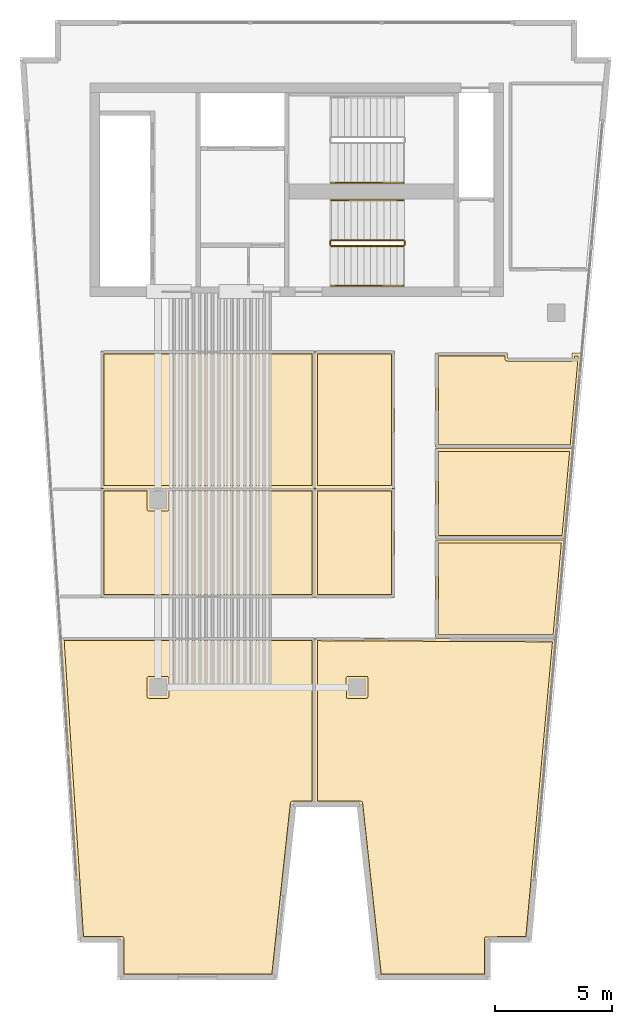
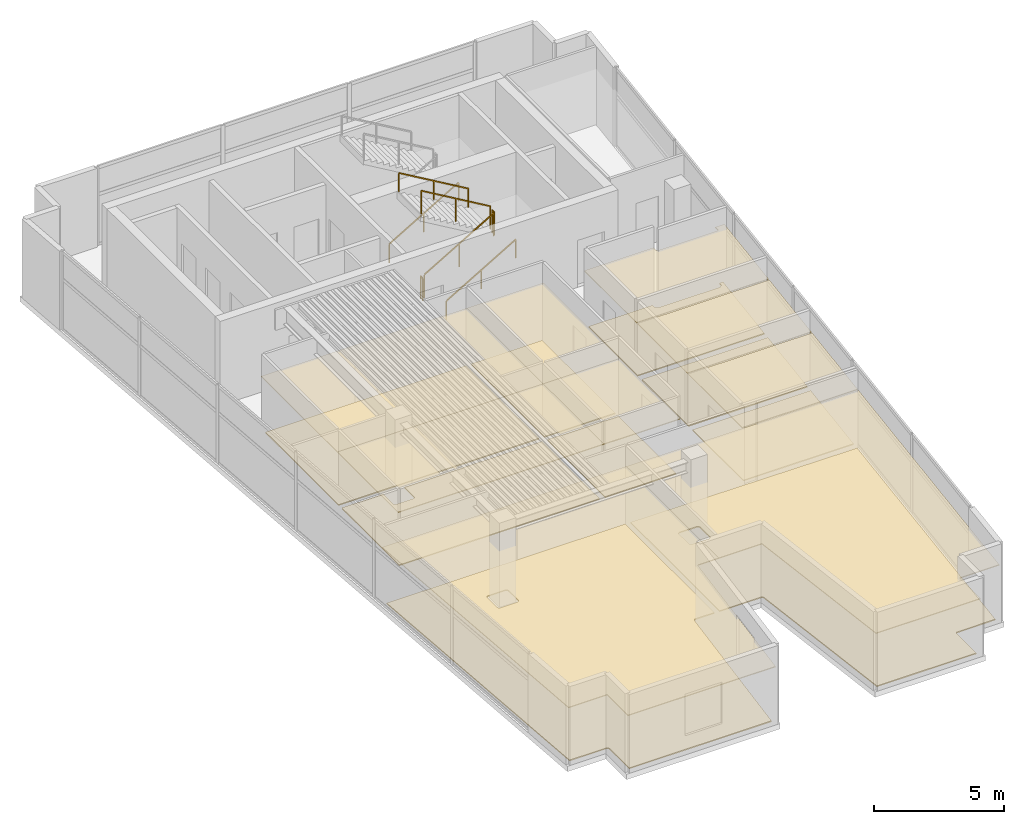
# One storey, part 6 of 7: 18 coverings, 7 railings.
"""IFC4 building model written with IfcOpenShell, lengths in metres."""

from ifc_helpers import new_model, si_unit, direction, frame, origin, origin_2d, place, context, subcontext, project, spatial, polyline, rectangle, outline, extrude, material, layer, layer_set, type_object, element, save


model = new_model("IFC4")

# Units and contexts
model_context = context("Model", 3, precision=1e-05, world=origin(), true_north=direction((0.0, 1.0)))
body_context = subcontext(model_context, "Body", "Model", "MODEL_VIEW")
ifc_project = project(units=[si_unit("LENGTHUNIT", "METRE"), si_unit("AREAUNIT", "SQUARE_METRE"), si_unit("VOLUMEUNIT", "CUBIC_METRE"), si_unit("PLANEANGLEUNIT", "RADIAN"), si_unit("MASSUNIT", "GRAM", prefix="KILO")], contexts=[model_context])

# Site, building, storey
site_placement = place(None, origin())
site = spatial("IfcSite", under=ifc_project, at=site_placement, CompositionType="ELEMENT")
building_placement = place(site_placement, origin())
building = spatial("IfcBuilding", under=site, at=building_placement, Name="Caeloran Harvest Quay", CompositionType="ELEMENT")
storey_placement = place(building_placement, frame((0.0, 0.0, 312.0)))
storey = spatial("IfcBuildingStorey", under=building, at=storey_placement, Name="L75", CompositionType="ELEMENT", Elevation=312.0)

# Coverings
ifc_material_1 = material(Name="Perforated Mineral-Fibre Acoustic Ceiling Tile", Category="ceiling")
ifc_layer_1 = layer(ifc_material_1, 0.0400390625, Name="Perforated Mineral-Fibre Acoustic Ceiling Tile")
ifc_layer_set_1 = layer_set([ifc_layer_1], Name="Perforated Mineral-Fibre Acoustic Ceiling Tile")
covering_type_1 = type_object("IfcCoveringType", Name="COV-CEILING-ACOUSTIC", PredefinedType="CEILING", material=ifc_layer_set_1)
covering_1_placement = place(storey_placement, frame((0.0, 0.0, 2.60009765625)))
element("IfcCovering", 1, at=covering_1_placement, inside=storey, type_object=covering_type_1, Name="L75 Male Washroom WC Acoustic Ceiling", PredefinedType="CEILING", context=body_context, shape_type="SweptSolid", body=[
    extrude(outline(polyline([(23.429931640625, 29.280029296875), (23.43017578125, 29.048095703125), (23.450927734375, 29.030029296875), (26.152099609375, 29.030029296875), (26.169921875, 29.048095703125), (26.169921875, 29.280029296875), (26.576904296875, 29.280029296875), (26.214599609375, 25.260009765625), (20.360107421875, 25.260009765625), (20.360107421875, 29.280029296875), (23.429931640625, 29.280029296875)])), origin(), (0.0, 0.0, 1.0), 0.039794921875),
])
covering_2_placement = place(storey_placement, frame((0.0, 0.0, 2.60009765625)))
element("IfcCovering", 2, at=covering_2_placement, inside=storey, type_object=covering_type_1, Name="L75 Female Washroom WC Acoustic Ceiling", PredefinedType="CEILING", context=body_context, shape_type="SweptSolid", body=[
    extrude(outline(polyline([(26.208251953125, 25.18994140625), (25.86279296875, 21.360107421875), (20.360107421875, 21.360107421875), (20.360107421875, 25.18994140625), (26.208251953125, 25.18994140625)])), origin(), (0.0, 0.0, 1.0), 0.039794921875),
])
covering_3_placement = place(storey_placement, frame((0.0, 0.0, 2.60009765625)))
element("IfcCovering", 3, at=covering_3_placement, inside=storey, type_object=covering_type_1, Name="L75 Accessible Unisex Washroom WC Acoustic Ceiling", PredefinedType="CEILING", context=body_context, shape_type="SweptSolid", body=[
    extrude(outline(polyline([(25.8564453125, 21.2900390625), (25.482177734375, 17.139892578125), (20.360107421875, 17.139892578125), (20.360107421875, 21.2900390625), (25.8564453125, 21.2900390625)])), origin(), (0.0, 0.0, 1.0), 0.039794921875),
])
covering_4_placement = place(storey_placement, frame((0.0, 0.0, 2.60009765625)))
element("IfcCovering", 4, at=covering_4_placement, inside=storey, type_object=covering_type_1, Name="Pinnacle Botanical Observatory Studio Acoustic Ceiling", PredefinedType="CEILING", context=body_context, shape_type="SweptSolid", body=[
    extrude(outline(polyline([(14.266845703125, 10.02001953125), (13.466796875, 2.639892578125), (6.91748046875, 2.639892578125), (6.91748046875, 4.239990234375), (5.2041015625, 4.239990234375), (4.36376953125, 17.110107421875), (15.199951171875, 17.110107421875), (15.199951171875, 10.02001953125), (14.266845703125, 10.02001953125)])), origin(), (0.0, 0.0, 1.0), 0.039794921875),
])
covering_5_placement = place(storey_placement, frame((0.0, 0.0, 2.60009765625)))
element("IfcCovering", 5, at=covering_5_placement, inside=storey, type_object=covering_type_1, Name="Diplomatic Conference Hall Acoustic Ceiling", PredefinedType="CEILING", context=body_context, shape_type="SweptSolid", body=[
    extrude(outline(polyline([(22.5625, 4.239990234375), (22.5625, 2.639892578125), (17.925537109375, 2.639892578125), (17.12548828125, 10.02001953125), (15.199951171875, 10.02001953125), (15.199951171875, 17.110107421875), (25.47509765625, 17.059814453125), (24.31884765625, 4.239990234375), (22.5625, 4.239990234375)])), origin(), (0.0, 0.0, 1.0), 0.039794921875),
])
covering_6_placement = place(storey_placement, frame((0.0, 0.0, 2.60009765625)))
element("IfcCovering", 6, at=covering_6_placement, inside=storey, type_object=covering_type_1, Name="Private Family Meeting Room Acoustic Ceiling", PredefinedType="CEILING", context=body_context, shape_type="SweptSolid", body=[
    extrude(outline(polyline([(6.070068359375, 23.5), (15.199951171875, 23.5), (15.199951171875, 18.840087890625), (6.070068359375, 18.840087890625), (6.070068359375, 23.5)])), origin(), (0.0, 0.0, 1.0), 0.039794921875),
])
covering_7_placement = place(storey_placement, frame((0.0, 0.0, 2.60009765625)))
element("IfcCovering", 7, at=covering_7_placement, inside=storey, type_object=covering_type_1, Name="Pinnacle Tasting Salon Lounge Acoustic Ceiling", PredefinedType="CEILING", context=body_context, shape_type="SweptSolid", body=[
    extrude(outline(polyline([(18.590087890625, 23.5), (18.590087890625, 18.840087890625), (15.199951171875, 18.840087890625), (15.199951171875, 23.5), (18.590087890625, 23.5)])), origin(), (0.0, 0.0, 1.0), 0.039794921875),
])
covering_8_placement = place(storey_placement, frame((0.0, 0.0, 2.60009765625)))
element("IfcCovering", 8, at=covering_8_placement, inside=storey, type_object=covering_type_1, Name="Artisanal Tea Kitchen Acoustic Ceiling", PredefinedType="CEILING", context=body_context, shape_type="SweptSolid", body=[
    extrude(outline(polyline([(6.070068359375, 23.5), (6.070068359375, 29.360107421875), (15.199951171875, 29.360107421875), (15.199951171875, 23.5), (6.070068359375, 23.5)])), origin(), (0.0, 0.0, 1.0), 0.039794921875),
])
covering_9_placement = place(storey_placement, frame((0.0, 0.0, 2.60009765625)))
element("IfcCovering", 9, at=covering_9_placement, inside=storey, type_object=covering_type_1, Name="Curator Archive Laboratory Acoustic Ceiling", PredefinedType="CEILING", context=body_context, shape_type="SweptSolid", body=[
    extrude(outline(polyline([(15.199951171875, 29.360107421875), (18.590087890625, 29.360107421875), (18.590087890625, 23.5), (15.199951171875, 23.5), (15.199951171875, 29.360107421875)])), origin(), (0.0, 0.0, 1.0), 0.039794921875),
])
ifc_material_2 = material(Name="Calcium-Sulphate Raised Access Floor and Terrazzo Finish", Category="flooring")
ifc_layer_2 = layer(ifc_material_2, 0.050048828125, Name="Calcium-Sulphate Raised Access Floor and Terrazzo Finish")
ifc_layer_set_2 = layer_set([ifc_layer_2], Name="Calcium-Sulphate Raised Access Floor and Terrazzo Finish")
covering_type_2 = type_object("IfcCoveringType", Name="COV-FLOOR-RAISED", PredefinedType="FLOORING", material=ifc_layer_set_2)
covering_10_placement = place(storey_placement, origin())
element("IfcCovering", 10, at=covering_10_placement, inside=storey, type_object=covering_type_2, Name="L75 Male Washroom WC Raised Finish Flooring", PredefinedType="FLOORING", context=body_context, shape_type="SweptSolid", body=[
    extrude(outline(polyline([(23.31005859375, 29.159912109375), (23.32861328125, 28.980712890625), (23.449951171875, 28.909912109375), (26.159912109375, 28.910400390625), (26.275146484375, 28.987548828125), (26.2900390625, 29.159912109375), (26.44580078125, 29.159912109375), (26.104736328125, 25.3798828125), (20.47998046875, 25.3798828125), (20.47998046875, 29.159912109375), (23.31005859375, 29.159912109375)])), origin(), (0.0, 0.0, 1.0), 0.050048828125),
])
covering_11_placement = place(storey_placement, origin())
element("IfcCovering", 11, at=covering_11_placement, inside=storey, type_object=covering_type_2, Name="L75 Female Washroom WC Raised Finish Flooring", PredefinedType="FLOORING", context=body_context, shape_type="SweptSolid", body=[
    extrude(outline(polyline([(26.076904296875, 25.070068359375), (25.753173828125, 21.47998046875), (20.47998046875, 21.47998046875), (20.47998046875, 25.070068359375), (26.076904296875, 25.070068359375)])), origin(), (0.0, 0.0, 1.0), 0.050048828125),
])
covering_12_placement = place(storey_placement, origin())
element("IfcCovering", 12, at=covering_12_placement, inside=storey, type_object=covering_type_2, Name="L75 Accessible Unisex Washroom WC Raised Finish Flooring", PredefinedType="FLOORING", context=body_context, shape_type="SweptSolid", body=[
    extrude(outline(polyline([(25.72509765625, 21.169921875), (25.37255859375, 17.260009765625), (20.47998046875, 17.260009765625), (20.47998046875, 21.169921875), (25.72509765625, 21.169921875)])), origin(), (0.0, 0.0, 1.0), 0.050048828125),
])
covering_13_placement = place(storey_placement, origin())
element("IfcCovering", 13, at=covering_13_placement, inside=storey, type_object=covering_type_2, Name="Pinnacle Botanical Observatory Studio Raised Finish Flooring", PredefinedType="FLOORING", context=body_context, shape_type="SweptSolid", body=[
    extrude(outline(polyline([(14.23095703125, 10.139892578125), (14.1748046875, 10.116943359375), (14.1513671875, 10.068603515625), (13.359130859375, 2.760009765625), (7.03759765625, 2.760009765625), (7.03759765625, 4.280029296875), (7.01416015625, 4.336669921875), (6.95751953125, 4.360107421875), (5.316650390625, 4.360107421875), (4.49169921875, 16.989990234375), (15.080078125, 16.989990234375), (15.080078125, 10.139892578125), (14.23095703125, 10.139892578125)]), holes=[polyline([(8.030029296875, 14.610107421875), (8.053466796875, 14.553466796875), (8.102294921875, 14.530517578125), (8.889892578125, 14.530029296875), (8.946533203125, 14.553466796875), (8.969970703125, 14.610107421875), (8.969970703125, 15.389892578125), (8.946533203125, 15.446533203125), (8.889892578125, 15.469970703125), (8.110107421875, 15.469970703125), (8.053466796875, 15.446533203125), (8.030029296875, 15.389892578125), (8.030029296875, 14.610107421875)])]), origin(), (0.0, 0.0, 1.0), 0.050048828125),
])
covering_14_placement = place(storey_placement, origin())
element("IfcCovering", 14, at=covering_14_placement, inside=storey, type_object=covering_type_2, Name="Diplomatic Conference Hall Raised Finish Flooring", PredefinedType="FLOORING", context=body_context, shape_type="SweptSolid", body=[
    extrude(outline(polyline([(24.209228515625, 4.360107421875), (22.4716796875, 4.341796875), (22.4423828125, 4.280029296875), (22.4423828125, 2.760009765625), (18.033203125, 2.760009765625), (17.235107421875, 10.09130859375), (17.16162109375, 10.139892578125), (15.320068359375, 10.139892578125), (15.320068359375, 16.989501953125), (25.34375, 16.9404296875), (24.209228515625, 4.360107421875)]), holes=[polyline([(16.530029296875, 15.389892578125), (16.548095703125, 14.55908203125), (16.602294921875, 14.530517578125), (17.389892578125, 14.530029296875), (17.446533203125, 14.553466796875), (17.469970703125, 14.610107421875), (17.469970703125, 15.389892578125), (17.446533203125, 15.446533203125), (17.389892578125, 15.469970703125), (16.610107421875, 15.469970703125), (16.553466796875, 15.446533203125), (16.530029296875, 15.389892578125)])]), origin(), (0.0, 0.0, 1.0), 0.050048828125),
])
covering_15_placement = place(storey_placement, origin())
element("IfcCovering", 15, at=covering_15_placement, inside=storey, type_object=covering_type_2, Name="Private Family Meeting Room Raised Finish Flooring", PredefinedType="FLOORING", context=body_context, shape_type="SweptSolid", body=[
    extrude(outline(polyline([(6.18994140625, 18.9599609375), (6.18994140625, 23.3798828125), (8.030029296875, 23.3798828125), (8.030517578125, 22.602294921875), (8.05908203125, 22.548095703125), (8.110107421875, 22.530029296875), (8.889892578125, 22.530029296875), (8.946533203125, 22.553466796875), (8.969970703125, 22.610107421875), (8.969970703125, 23.3798828125), (15.080078125, 23.3798828125), (15.080078125, 18.9599609375), (6.18994140625, 18.9599609375)])), origin(), (0.0, 0.0, 1.0), 0.050048828125),
])
covering_16_placement = place(storey_placement, origin())
element("IfcCovering", 16, at=covering_16_placement, inside=storey, type_object=covering_type_2, Name="Pinnacle Tasting Salon Lounge Raised Finish Flooring", PredefinedType="FLOORING", context=body_context, shape_type="SweptSolid", body=[
    extrude(outline(polyline([(18.469970703125, 23.3798828125), (18.469970703125, 18.9599609375), (15.320068359375, 18.9599609375), (15.320068359375, 23.3798828125), (18.469970703125, 23.3798828125)])), origin(), (0.0, 0.0, 1.0), 0.050048828125),
])
covering_17_placement = place(storey_placement, origin())
element("IfcCovering", 17, at=covering_17_placement, inside=storey, type_object=covering_type_2, Name="Artisanal Tea Kitchen Raised Finish Flooring", PredefinedType="FLOORING", context=body_context, shape_type="SweptSolid", body=[
    extrude(outline(polyline([(6.18994140625, 23.6201171875), (6.18994140625, 29.239990234375), (15.080078125, 29.239990234375), (15.080078125, 23.6201171875), (6.18994140625, 23.6201171875)])), origin(), (0.0, 0.0, 1.0), 0.050048828125),
])
covering_18_placement = place(storey_placement, origin())
element("IfcCovering", 18, at=covering_18_placement, inside=storey, type_object=covering_type_2, Name="Curator Archive Laboratory Raised Finish Flooring", PredefinedType="FLOORING", context=body_context, shape_type="SweptSolid", body=[
    extrude(outline(polyline([(15.320068359375, 29.239990234375), (18.469970703125, 29.239990234375), (18.469970703125, 23.6201171875), (15.320068359375, 23.6201171875), (15.320068359375, 29.239990234375)])), origin(), (0.0, 0.0, 1.0), 0.050048828125),
])

# Railings
ifc_material_3 = material(Name="Painted Steel Baluster and Top-Rail Stair Guard", Category="steel")
ifc_layer_3 = layer(ifc_material_3, 0.050048828125, Name="Painted Steel Baluster and Top-Rail Stair Guard")
ifc_layer_set_3 = layer_set([ifc_layer_3], Name="Painted Steel Baluster and Top-Rail Stair Guard")
railing_type_1 = type_object("IfcRailingType", Name="STAIR-GUARD-1100", PredefinedType="GUARDRAIL", material=ifc_layer_set_3)
railing_1_placement = place(storey_placement, frame((15.89990234375, 33.85009765625, 0.16455078125)))
element("IfcRailing", 19, at=railing_1_placement, inside=storey, type_object=railing_type_1, Name="L75 ST-C2 stair guard 1", PredefinedType="GUARDRAIL", context=body_context, shape_type="SweptSolid", body=[
    extrude(rectangle(XDim=0.048095703125, YDim=0.048095703125, at=origin_2d()), frame((0.0, 0.0, 1.076171875), z_axis=(0.862088758681, 0.0, 0.506757310905), x_axis=(0.0, 1.0, 0.0)), (0.0, 0.0, 1.0), 3.57275390625),
    extrude(rectangle(XDim=0.0419921875, YDim=0.0419921875, at=origin_2d()), origin(), (0.0, 0.0, 1.0), 1.052001953125),
    extrude(rectangle(XDim=0.0419921875, YDim=0.0419921875, at=origin_2d()), frame((1.5400390625, 0.0, 0.9052734375)), (0.0, 0.0, 1.0), 1.052001953125),
    extrude(rectangle(XDim=0.0419921875, YDim=0.0419921875, at=origin_2d()), frame((3.080078125, 0.0, 1.810546875)), (0.0, 0.0, 1.0), 1.052001953125),
])
railing_2_placement = place(storey_placement, frame((19.030029296875, 33.89990234375, 1.97509765625)))
element("IfcRailing", 20, at=railing_2_placement, inside=storey, type_object=railing_type_1, Name="L75 ST-C2 stair guard 2", PredefinedType="GUARDRAIL", context=body_context, shape_type="SweptSolid", body=[
    extrude(rectangle(XDim=0.048095703125, YDim=0.048095703125, at=origin_2d()), frame((0.0, 0.0, 1.076171875), z_axis=(0.0, 1.0, 0.0), x_axis=(-1.0, 0.0, 0.0)), (0.0, 0.0, 1.0), 0.150146484375),
    extrude(rectangle(XDim=0.0419921875, YDim=0.0419921875, at=origin_2d()), origin(), (0.0, 0.0, 1.0), 1.052001953125),
    extrude(rectangle(XDim=0.0419921875, YDim=0.0419921875, at=origin_2d()), frame((0.0, 0.150146484375, 0.0)), (0.0, 0.0, 1.0), 1.052001953125),
])
railing_3_placement = place(storey_placement, frame((18.97998046875, 34.10009765625, 2.1396484375)))
element("IfcRailing", 21, at=railing_3_placement, inside=storey, type_object=railing_type_1, Name="L75 ST-C2 stair guard 3", PredefinedType="GUARDRAIL", context=body_context, shape_type="SweptSolid", body=[
    extrude(rectangle(XDim=0.048095703125, YDim=0.048095703125, at=origin_2d()), frame((0.0, 0.0, 1.076171875), z_axis=(-0.862118610829, 0.0, 0.506706523406), x_axis=(0.0, -1.0, 0.0)), (0.0, 0.0, 1.0), 3.57275390625),
    extrude(rectangle(XDim=0.0419921875, YDim=0.0419921875, at=origin_2d()), origin(), (0.0, 0.0, 1.0), 1.052001953125),
    extrude(rectangle(XDim=0.0419921875, YDim=0.0419921875, at=origin_2d()), frame((-1.5400390625, 0.0, 0.9052734375)), (0.0, 0.0, 1.0), 1.052001953125),
    extrude(rectangle(XDim=0.0419921875, YDim=0.0419921875, at=origin_2d()), frame((-3.080078125, 0.0, 1.810302734375)), (0.0, 0.0, 1.0), 1.052001953125),
])
railing_4_placement = place(storey_placement, frame((15.85009765625, 33.89990234375, 0.0)))
element("IfcRailing", 22, at=railing_4_placement, inside=storey, type_object=railing_type_1, Name="L75 ST-C2 stair guard 4", PredefinedType="GUARDRAIL", context=body_context, shape_type="SweptSolid", body=[
    extrude(rectangle(XDim=0.048095703125, YDim=0.048095703125, at=origin_2d()), frame((0.0, 0.0, 1.076171875), z_axis=(0.0, 1.0, 0.0), x_axis=(-1.0, 0.0, 0.0)), (0.0, 0.0, 1.0), 0.150146484375),
    extrude(rectangle(XDim=0.0419921875, YDim=0.0419921875, at=origin_2d()), origin(), (0.0, 0.0, 1.0), 1.052001953125),
    extrude(rectangle(XDim=0.0419921875, YDim=0.0419921875, at=origin_2d()), frame((0.0, 0.150146484375, 0.0)), (0.0, 0.0, 1.0), 1.052001953125),
])
ifc_material_4 = material(Name="Brushed Stainless Steel Grade 304", Category="steel")
ifc_layer_4 = layer(ifc_material_4, 0.050048828125, Name="Brushed Stainless Steel Grade 304")
ifc_layer_set_4 = layer_set([ifc_layer_4], Name="Brushed Stainless Steel Grade 304")
railing_type_2 = type_object("IfcRailingType", Name="STAIR-HANDRAIL-900", PredefinedType="HANDRAIL", material=ifc_layer_set_4)
for number, where, name in (
    (23, (15.89990234375, 36.550048828125, 0.16455078125), "L75 ST-C1 stair handrail 1"),
    (24, (15.89990234375, 32.14990234375, 0.16455078125), "L75 ST-C2 stair handrail 1"),
):
    element("IfcRailing", number, at=place(storey_placement, frame(where)), inside=storey, type_object=railing_type_2, Name=name, PredefinedType="HANDRAIL", context=body_context, shape_type="SweptSolid", body=[
        extrude(rectangle(XDim=0.048095703125, YDim=0.048095703125, at=origin_2d()), frame((0.0, 0.0, 0.8759765625), z_axis=(0.862088758681, 0.0, 0.506757310905), x_axis=(0.0, 1.0, 0.0)), (0.0, 0.0, 1.0), 3.57275390625),
        extrude(rectangle(XDim=0.0419921875, YDim=0.0419921875, at=origin_2d()), origin(), (0.0, 0.0, 1.0), 0.851806640625),
        extrude(rectangle(XDim=0.0419921875, YDim=0.0419921875, at=origin_2d()), frame((1.5400390625, 0.0, 0.9052734375)), (0.0, 0.0, 1.0), 0.851806640625),
        extrude(rectangle(XDim=0.0419921875, YDim=0.0419921875, at=origin_2d()), frame((3.080078125, 0.0, 1.810546875)), (0.0, 0.0, 1.0), 0.851806640625),
    ])
railing_5_placement = place(storey_placement, frame((18.97998046875, 35.800048828125, 2.1396484375)))
element("IfcRailing", 25, at=railing_5_placement, inside=storey, type_object=railing_type_2, Name="L75 ST-C2 stair handrail 2", PredefinedType="HANDRAIL", context=body_context, shape_type="SweptSolid", body=[
    extrude(rectangle(XDim=0.048095703125, YDim=0.048095703125, at=origin_2d()), frame((0.0, 0.0, 0.8759765625), z_axis=(-0.862118610829, 0.0, 0.506706523406), x_axis=(0.0, -1.0, 0.0)), (0.0, 0.0, 1.0), 3.57275390625),
    extrude(rectangle(XDim=0.0419921875, YDim=0.0419921875, at=origin_2d()), origin(), (0.0, 0.0, 1.0), 0.851806640625),
    extrude(rectangle(XDim=0.0419921875, YDim=0.0419921875, at=origin_2d()), frame((-1.5400390625, 0.0, 0.9052734375)), (0.0, 0.0, 1.0), 0.851806640625),
    extrude(rectangle(XDim=0.0419921875, YDim=0.0419921875, at=origin_2d()), frame((-3.080078125, 0.0, 1.810302734375)), (0.0, 0.0, 1.0), 0.851806640625),
])

save(model, "model.ifc")
